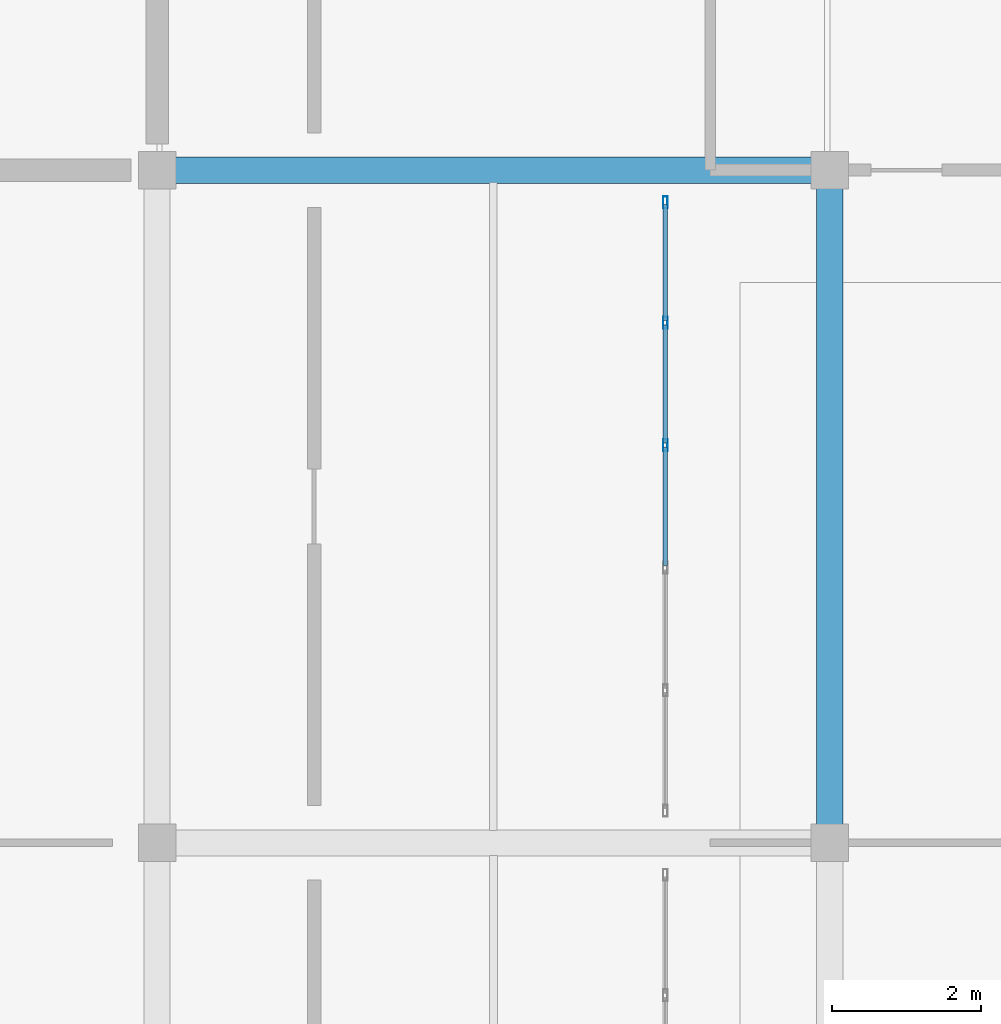
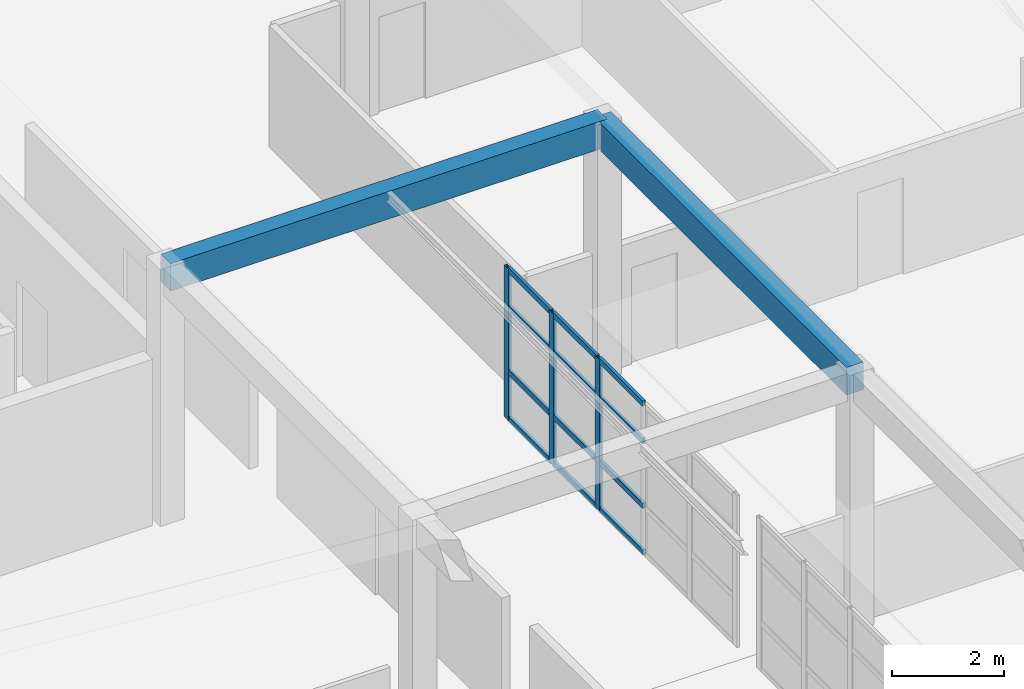
# One storey, part 43 of 156: 15 members, 2 beams, 1 element without a shape of its own.
"""IFC4 building model written with IfcOpenShell, lengths in metres."""

from ifc_helpers import new_model, si_unit, direction, frame, origin, origin_2d, place, context, subcontext, project, spatial, rectangle, hollow_rectangle, extrude, material, layer, layer_set, material_profile, profile_set, type_object, element, aggregate, save


model = new_model("IFC4")

# Units and contexts
model_context = context("Model", 3, precision=1e-05, world=origin(), true_north=direction((0.0, 1.0)))
body_context = subcontext(model_context, "Body", "Model", "MODEL_VIEW")
ifc_project = project(units=[si_unit("LENGTHUNIT", "METRE"), si_unit("AREAUNIT", "SQUARE_METRE"), si_unit("VOLUMEUNIT", "CUBIC_METRE"), si_unit("PLANEANGLEUNIT", "RADIAN"), si_unit("MASSUNIT", "GRAM", prefix="KILO")], contexts=[model_context])

# Site, building, storey
site_placement = place(None, origin())
site = spatial("IfcSite", under=ifc_project, at=site_placement, CompositionType="ELEMENT")
building_placement = place(site_placement, origin())
building = spatial("IfcBuilding", under=site, at=building_placement, Name="Ornek Quay Market", CompositionType="ELEMENT")
storey_placement = place(building_placement, frame((0.0, 0.0, 4.5)))
storey = spatial("IfcBuildingStorey", under=building, at=storey_placement, Name="L01", CompositionType="ELEMENT", Elevation=4.5)

# Beams
ifc_material_1 = material(Name="Concrete C35/45", Category="concrete")
ifc_material_profile_1 = material_profile(ifc_material_1, rectangle(XDim=0.35009765625, YDim=0.60009765625, at=origin_2d()), Name="RC 350x600", Category="concrete")
ifc_profile_set_1 = profile_set([ifc_material_profile_1], Name="Concrete C35/45")
beam_type = type_object("IfcBeamType", Name="BM-RF-350x600", PredefinedType="BEAM", material=ifc_profile_set_1)
for number, where, z_axis, x_axis, name in (
    (1, (9.0, 92.0, 5.2900390625), (1.0, 0.0, 0.0), (0.0, 1.0, 0.0), "Primary beam B-RF1-014"),
    (2, (18.0, 83.0, 5.2900390625), (0.0, 1.0, 0.0), (-1.0, 0.0, 0.0), "Primary beam B-RF1-020"),
):
    element("IfcBeam", number, at=place(storey_placement, frame(where, z_axis=z_axis, x_axis=x_axis)), inside=storey, type_object=beam_type, Name=name, PredefinedType="BEAM", context=body_context, shape_type="SweptSolid", body=[
        extrude(rectangle(XDim=0.35009765625, YDim=0.60009765625, at=origin_2d()), origin(), (0.0, 0.0, 1.0), 9.0),
    ])

# Curtain wall, members
ifc_material_2 = material(Name="Anodised bronze aluminium and triple low-e glass", Category="aluminium")
ifc_layer = layer(ifc_material_2, 0.179931640625, Name="Anodised bronze aluminium and triple low-e glass", Category="aluminium")
ifc_layer_set = layer_set([ifc_layer], Name="Anodised bronze aluminium and triple low-e glass")
curtain_wall_type = type_object("IfcCurtainWallType", Name="CW-CONC-MOD1500", PredefinedType="USERDEFINED", material=ifc_layer_set)
curtain_wall_placement = place(storey_placement, origin())
curtain_wall = element("IfcCurtainWall", 3, at=curtain_wall_placement, inside=storey, type_object=curtain_wall_type, Name="Curtain wall CW-145", ObjectType="CURTAIN WALL", PredefinedType="USERDEFINED")
ifc_material_3 = material(Name="Anodised aluminium 6063-T6", Category="aluminium")
ifc_material_profile_2 = material_profile(ifc_material_3, hollow_rectangle(XDim=0.06005859375, YDim=0.159912109375, WallThickness=0.00390625, at=origin_2d()), Name="CW-MUL-60x160", Category="aluminium")
ifc_profile_set_2 = profile_set([ifc_material_profile_2], Name="Anodised aluminium 6063-T6")
member_type_1 = type_object("IfcMemberType", Name="CW-MUL-60x160", PredefinedType="MULLION", material=ifc_profile_set_2)
member_1_placement = place(storey_placement, frame((15.800048828125, 88.320068359375, 0.0), z_axis=(0.0, 0.0, 1.0), x_axis=(-1.0, 0.0, 0.0)))
member_1 = element("IfcMember", 4, at=member_1_placement, type_object=member_type_1, Name="CW-145 mullion 4", PredefinedType="MULLION", context=body_context, shape_type="SweptSolid", body=[
    extrude(hollow_rectangle(XDim=0.06005859375, YDim=0.159912109375, WallThickness=0.00390625, at=origin_2d()), origin(), (0.0, 0.0, 1.0), 3.300048828125),
])
member_2_placement = place(storey_placement, frame((15.800048828125, 89.9599609375, 0.0), z_axis=(0.0, 0.0, 1.0), x_axis=(-1.0, 0.0, 0.0)))
member_2 = element("IfcMember", 5, at=member_2_placement, type_object=member_type_1, Name="CW-145 mullion 5", PredefinedType="MULLION", context=body_context, shape_type="SweptSolid", body=[
    extrude(hollow_rectangle(XDim=0.06005859375, YDim=0.159912109375, WallThickness=0.00390625, at=origin_2d()), origin(), (0.0, 0.0, 1.0), 3.300048828125),
])
member_3_placement = place(storey_placement, frame((15.800048828125, 91.570068359375, 0.0), z_axis=(0.0, 0.0, 1.0), x_axis=(-1.0, 0.0, 0.0)))
member_3 = element("IfcMember", 6, at=member_3_placement, type_object=member_type_1, Name="CW-145 mullion 6", PredefinedType="MULLION", context=body_context, shape_type="SweptSolid", body=[
    extrude(hollow_rectangle(XDim=0.06005859375, YDim=0.159912109375, WallThickness=0.00390625, at=origin_2d()), origin(), (0.0, 0.0, 1.0), 3.300048828125),
])
ifc_material_profile_3 = material_profile(ifc_material_3, hollow_rectangle(XDim=0.06005859375, YDim=0.1201171875, WallThickness=0.00390625, at=origin_2d()), Name="CW-TRN-60x120", Category="aluminium")
ifc_profile_set_3 = profile_set([ifc_material_profile_3], Name="Anodised aluminium 6063-T6")
member_type_2 = type_object("IfcMemberType", Name="CW-TRN-60x120", PredefinedType="USERDEFINED", material=ifc_profile_set_3)
member_4_placement = place(storey_placement, frame((15.800048828125, 86.7099609375, 0.030029296875), z_axis=(0.0, 1.0, 0.0), x_axis=(-1.0, 0.0, 0.0)))
member_4 = element("IfcMember", 7, at=member_4_placement, type_object=member_type_2, Name="CW-145 transom 3.1", ObjectType="TRANSOM", PredefinedType="USERDEFINED", context=body_context, shape_type="SweptSolid", body=[
    extrude(hollow_rectangle(XDim=0.06005859375, YDim=0.1201171875, WallThickness=0.00390625, at=origin_2d()), origin(), (0.0, 0.0, 1.0), 1.580078125),
])
member_5_placement = place(storey_placement, frame((15.800048828125, 86.7099609375, 1.050048828125), z_axis=(0.0, 1.0, 0.0), x_axis=(-1.0, 0.0, 0.0)))
member_5 = element("IfcMember", 8, at=member_5_placement, type_object=member_type_2, Name="CW-145 transom 3.2", ObjectType="TRANSOM", PredefinedType="USERDEFINED", context=body_context, shape_type="SweptSolid", body=[
    extrude(hollow_rectangle(XDim=0.06005859375, YDim=0.1201171875, WallThickness=0.00390625, at=origin_2d()), origin(), (0.0, 0.0, 1.0), 1.580078125),
])
member_6_placement = place(storey_placement, frame((15.800048828125, 86.7099609375, 2.449951171875), z_axis=(0.0, 1.0, 0.0), x_axis=(-1.0, 0.0, 0.0)))
member_6 = element("IfcMember", 9, at=member_6_placement, type_object=member_type_2, Name="CW-145 transom 3.3", ObjectType="TRANSOM", PredefinedType="USERDEFINED", context=body_context, shape_type="SweptSolid", body=[
    extrude(hollow_rectangle(XDim=0.06005859375, YDim=0.1201171875, WallThickness=0.00390625, at=origin_2d()), origin(), (0.0, 0.0, 1.0), 1.580078125),
])
member_7_placement = place(storey_placement, frame((15.800048828125, 86.7099609375, 3.27001953125), z_axis=(0.0, 1.0, 0.0), x_axis=(-1.0, 0.0, 0.0)))
member_7 = element("IfcMember", 10, at=member_7_placement, type_object=member_type_2, Name="CW-145 transom 3.4", ObjectType="TRANSOM", PredefinedType="USERDEFINED", context=body_context, shape_type="SweptSolid", body=[
    extrude(hollow_rectangle(XDim=0.06005859375, YDim=0.1201171875, WallThickness=0.00390625, at=origin_2d()), origin(), (0.0, 0.0, 1.0), 1.580078125),
])
member_8_placement = place(storey_placement, frame((15.800048828125, 88.35009765625, 0.030029296875), z_axis=(0.0, 1.0, 0.0), x_axis=(-1.0, 0.0, 0.0)))
member_8 = element("IfcMember", 11, at=member_8_placement, type_object=member_type_2, Name="CW-145 transom 4.1", ObjectType="TRANSOM", PredefinedType="USERDEFINED", context=body_context, shape_type="SweptSolid", body=[
    extrude(hollow_rectangle(XDim=0.06005859375, YDim=0.1201171875, WallThickness=0.00390625, at=origin_2d()), origin(), (0.0, 0.0, 1.0), 1.579833984375),
])
member_9_placement = place(storey_placement, frame((15.800048828125, 88.35009765625, 1.050048828125), z_axis=(0.0, 1.0, 0.0), x_axis=(-1.0, 0.0, 0.0)))
member_9 = element("IfcMember", 12, at=member_9_placement, type_object=member_type_2, Name="CW-145 transom 4.2", ObjectType="TRANSOM", PredefinedType="USERDEFINED", context=body_context, shape_type="SweptSolid", body=[
    extrude(hollow_rectangle(XDim=0.06005859375, YDim=0.1201171875, WallThickness=0.00390625, at=origin_2d()), origin(), (0.0, 0.0, 1.0), 1.579833984375),
])
member_10_placement = place(storey_placement, frame((15.800048828125, 88.35009765625, 2.449951171875), z_axis=(0.0, 1.0, 0.0), x_axis=(-1.0, 0.0, 0.0)))
member_10 = element("IfcMember", 13, at=member_10_placement, type_object=member_type_2, Name="CW-145 transom 4.3", ObjectType="TRANSOM", PredefinedType="USERDEFINED", context=body_context, shape_type="SweptSolid", body=[
    extrude(hollow_rectangle(XDim=0.06005859375, YDim=0.1201171875, WallThickness=0.00390625, at=origin_2d()), origin(), (0.0, 0.0, 1.0), 1.579833984375),
])
member_11_placement = place(storey_placement, frame((15.800048828125, 88.35009765625, 3.27001953125), z_axis=(0.0, 1.0, 0.0), x_axis=(-1.0, 0.0, 0.0)))
member_11 = element("IfcMember", 14, at=member_11_placement, type_object=member_type_2, Name="CW-145 transom 4.4", ObjectType="TRANSOM", PredefinedType="USERDEFINED", context=body_context, shape_type="SweptSolid", body=[
    extrude(hollow_rectangle(XDim=0.06005859375, YDim=0.1201171875, WallThickness=0.00390625, at=origin_2d()), origin(), (0.0, 0.0, 1.0), 1.579833984375),
])
member_12_placement = place(storey_placement, frame((15.800048828125, 89.989990234375, 0.030029296875), z_axis=(0.0, 1.0, 0.0), x_axis=(-1.0, 0.0, 0.0)))
member_12 = element("IfcMember", 15, at=member_12_placement, type_object=member_type_2, Name="CW-145 transom 5.1", ObjectType="TRANSOM", PredefinedType="USERDEFINED", context=body_context, shape_type="SweptSolid", body=[
    extrude(hollow_rectangle(XDim=0.06005859375, YDim=0.1201171875, WallThickness=0.00390625, at=origin_2d()), origin(), (0.0, 0.0, 1.0), 1.550048828125),
])
member_13_placement = place(storey_placement, frame((15.800048828125, 89.989990234375, 1.050048828125), z_axis=(0.0, 1.0, 0.0), x_axis=(-1.0, 0.0, 0.0)))
member_13 = element("IfcMember", 16, at=member_13_placement, type_object=member_type_2, Name="CW-145 transom 5.2", ObjectType="TRANSOM", PredefinedType="USERDEFINED", context=body_context, shape_type="SweptSolid", body=[
    extrude(hollow_rectangle(XDim=0.06005859375, YDim=0.1201171875, WallThickness=0.00390625, at=origin_2d()), origin(), (0.0, 0.0, 1.0), 1.550048828125),
])
member_14_placement = place(storey_placement, frame((15.800048828125, 89.989990234375, 2.449951171875), z_axis=(0.0, 1.0, 0.0), x_axis=(-1.0, 0.0, 0.0)))
member_14 = element("IfcMember", 17, at=member_14_placement, type_object=member_type_2, Name="CW-145 transom 5.3", ObjectType="TRANSOM", PredefinedType="USERDEFINED", context=body_context, shape_type="SweptSolid", body=[
    extrude(hollow_rectangle(XDim=0.06005859375, YDim=0.1201171875, WallThickness=0.00390625, at=origin_2d()), origin(), (0.0, 0.0, 1.0), 1.550048828125),
])
member_15_placement = place(storey_placement, frame((15.800048828125, 89.989990234375, 3.27001953125), z_axis=(0.0, 1.0, 0.0), x_axis=(-1.0, 0.0, 0.0)))
member_15 = element("IfcMember", 18, at=member_15_placement, type_object=member_type_2, Name="CW-145 transom 5.4", ObjectType="TRANSOM", PredefinedType="USERDEFINED", context=body_context, shape_type="SweptSolid", body=[
    extrude(hollow_rectangle(XDim=0.06005859375, YDim=0.1201171875, WallThickness=0.00390625, at=origin_2d()), origin(), (0.0, 0.0, 1.0), 1.550048828125),
])
aggregate(curtain_wall, [member_1, member_2, member_3, member_4, member_5, member_6, member_7, member_8, member_9, member_10, member_11, member_12, member_13, member_14, member_15])

save(model, "model.ifc")
